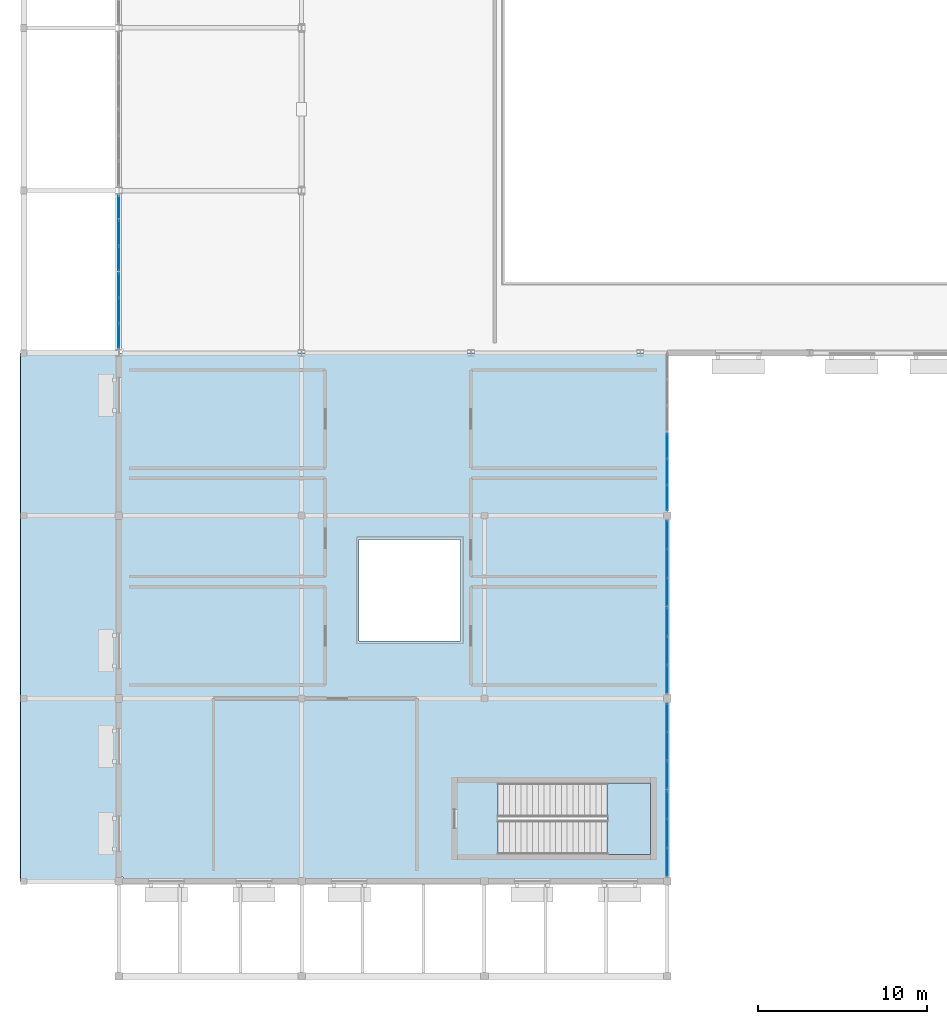
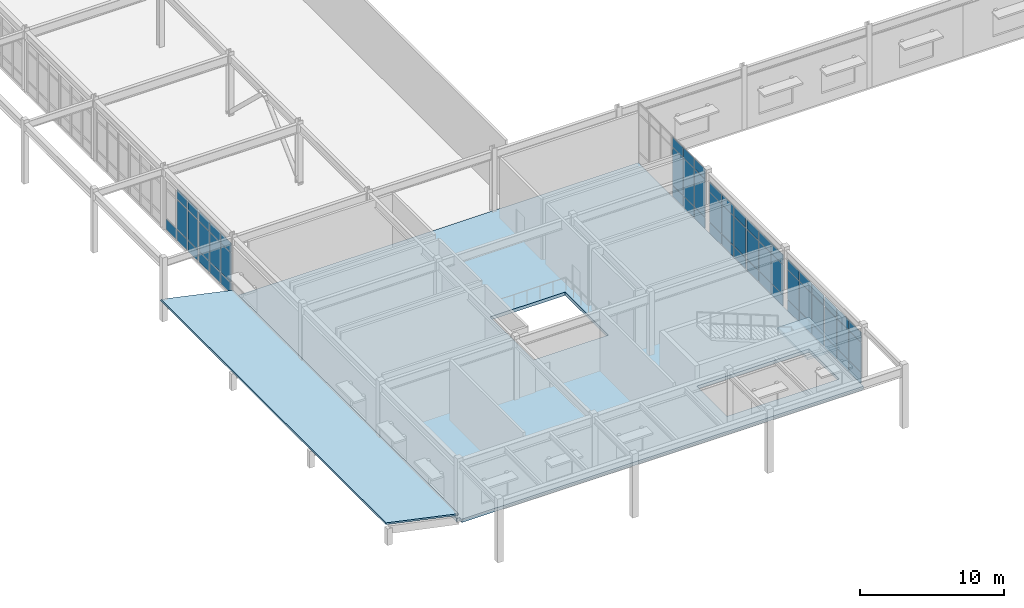
# One storey, part 37 of 72: 61 plates, 3 slabs, 9 elements without a shape of their own.
"""IFC4 building model written with IfcOpenShell, lengths in metres."""

from ifc_helpers import new_model, si_unit, direction, frame, origin, origin_2d, place, context, subcontext, project, spatial, polyline, rectangle, outline, extrude, material, layer, layer_set, type_object, element, aggregate, save


model = new_model("IFC4")

# Units and contexts
model_context = context("Model", 3, precision=1e-05, world=origin(), true_north=direction((0.0, 1.0)))
body_context = subcontext(model_context, "Body", "Model", "MODEL_VIEW")
ifc_project = project(units=[si_unit("LENGTHUNIT", "METRE"), si_unit("AREAUNIT", "SQUARE_METRE"), si_unit("VOLUMEUNIT", "CUBIC_METRE"), si_unit("PLANEANGLEUNIT", "RADIAN"), si_unit("MASSUNIT", "GRAM", prefix="KILO")], contexts=[model_context])

# Site, building, storey
site_placement = place(None, origin())
site = spatial("IfcSite", under=ifc_project, at=site_placement, CompositionType="ELEMENT")
building_placement = place(site_placement, origin())
building = spatial("IfcBuilding", under=site, at=building_placement, Name="Veldera Park Congress Hotel", CompositionType="ELEMENT")
storey_placement = place(building_placement, frame((0.0, 0.0, 5.39990234375)))
storey = spatial("IfcBuildingStorey", under=building, at=storey_placement, Name="L01", CompositionType="ELEMENT", Elevation=5.39990234375)

# Curtain wall, plates
ifc_material_1 = material(Name="Low-E Triple Insulating Glass Unit (SHGC 0.22)", Category="glass")
curtain_wall_type_1 = type_object("IfcCurtainWallType", Name="CW-CNG", PredefinedType="NOTDEFINED", material=ifc_material_1)
curtain_wall_1_placement = place(storey_placement, origin())
curtain_wall_1 = element("IfcCurtainWall", 1, at=curtain_wall_1_placement, inside=storey, type_object=curtain_wall_type_1, Name="L01 Curtain Wall CW3-V1W-L01-019", PredefinedType="NOTDEFINED")
ifc_layer_1 = layer(ifc_material_1, 0.035888671875)
ifc_layer_set_1 = layer_set([ifc_layer_1], Name="Low-E Triple Insulating Glass Unit (SHGC 0.22)")
plate_type_1 = type_object("IfcPlateType", Name="CWP-IGU36", PredefinedType="CURTAIN_PANEL", material=ifc_layer_set_1)
plate_1_placement = place(storey_placement, frame((-78.199951171875, -12.40576171875, 0.0751953125), z_axis=(0.0, 0.0, 1.0), x_axis=(0.0, -1.0, 0.0)))
plate_1 = element("IfcPlate", 2, at=plate_1_placement, type_object=plate_type_1, Name="CW-CNG panel 1.1", PredefinedType="CURTAIN_PANEL", context=body_context, shape_type="SweptSolid", body=[
    extrude(rectangle(XDim=1.40673828125, YDim=0.035888671875, at=origin_2d()), origin(), (0.0, 0.0, 1.0), 0.887451171875),
])
plate_2_placement = place(storey_placement, frame((-78.199951171875, -13.90625, 0.0751953125), z_axis=(0.0, 0.0, 1.0), x_axis=(0.0, -1.0, 0.0)))
plate_2 = element("IfcPlate", 3, at=plate_2_placement, type_object=plate_type_1, Name="CW-CNG panel 2.1", PredefinedType="CURTAIN_PANEL", context=body_context, shape_type="SweptSolid", body=[
    extrude(rectangle(XDim=1.444091796875, YDim=0.035888671875, at=origin_2d()), origin(), (0.0, 0.0, 1.0), 0.887451171875),
])
plate_3_placement = place(storey_placement, frame((-78.199951171875, -13.90625, 1.03759765625), z_axis=(0.0, 0.0, 1.0), x_axis=(0.0, -1.0, 0.0)))
plate_3 = element("IfcPlate", 4, at=plate_3_placement, type_object=plate_type_1, Name="CW-CNG panel 2.2", PredefinedType="CURTAIN_PANEL", context=body_context, shape_type="SweptSolid", body=[
    extrude(rectangle(XDim=1.444091796875, YDim=0.035888671875, at=origin_2d()), origin(), (0.0, 0.0, 1.0), 2.4541015625),
])
plate_4_placement = place(storey_placement, frame((-78.199951171875, -13.90625, 3.566650390625), z_axis=(0.0, 0.0, 1.0), x_axis=(0.0, -1.0, 0.0)))
plate_4 = element("IfcPlate", 5, at=plate_4_placement, type_object=plate_type_1, Name="CW-CNG panel 2.3", PredefinedType="CURTAIN_PANEL", context=body_context, shape_type="SweptSolid", body=[
    extrude(rectangle(XDim=1.444091796875, YDim=0.035888671875, at=origin_2d()), origin(), (0.0, 0.0, 1.0), 0.78759765625),
])
plate_5_placement = place(storey_placement, frame((-78.199951171875, -15.40673828125, 0.0751953125), z_axis=(0.0, 0.0, 1.0), x_axis=(0.0, -1.0, 0.0)))
plate_5 = element("IfcPlate", 6, at=plate_5_placement, type_object=plate_type_1, Name="CW-CNG panel 3.1", PredefinedType="CURTAIN_PANEL", context=body_context, shape_type="SweptSolid", body=[
    extrude(rectangle(XDim=1.40673828125, YDim=0.035888671875, at=origin_2d()), origin(), (0.0, 0.0, 1.0), 0.887451171875),
])
plate_6_placement = place(storey_placement, frame((-78.199951171875, -15.40673828125, 1.03759765625), z_axis=(0.0, 0.0, 1.0), x_axis=(0.0, -1.0, 0.0)))
plate_6 = element("IfcPlate", 7, at=plate_6_placement, type_object=plate_type_1, Name="CW-CNG panel 3.2", PredefinedType="CURTAIN_PANEL", context=body_context, shape_type="SweptSolid", body=[
    extrude(rectangle(XDim=1.40673828125, YDim=0.035888671875, at=origin_2d()), origin(), (0.0, 0.0, 1.0), 2.4541015625),
])
plate_7_placement = place(storey_placement, frame((-78.199951171875, -15.40673828125, 3.566650390625), z_axis=(0.0, 0.0, 1.0), x_axis=(0.0, -1.0, 0.0)))
plate_7 = element("IfcPlate", 8, at=plate_7_placement, type_object=plate_type_1, Name="CW-CNG panel 3.3", PredefinedType="CURTAIN_PANEL", context=body_context, shape_type="SweptSolid", body=[
    extrude(rectangle(XDim=1.40673828125, YDim=0.035888671875, at=origin_2d()), origin(), (0.0, 0.0, 1.0), 0.78759765625),
])
aggregate(curtain_wall_1, [plate_1, plate_2, plate_3, plate_4, plate_5, plate_6, plate_7])

curtain_wall_2_placement = place(storey_placement, origin())
curtain_wall_2 = element("IfcCurtainWall", 9, at=curtain_wall_2_placement, inside=storey, type_object=curtain_wall_type_1, Name="L01 Curtain Wall CW3-V1W-L01-020", PredefinedType="NOTDEFINED")
plate_8_placement = place(storey_placement, frame((-78.199951171875, -16.993408203125, 0.0751953125), z_axis=(0.0, 0.0, 1.0), x_axis=(0.0, -1.0, 0.0)))
plate_8 = element("IfcPlate", 10, at=plate_8_placement, type_object=plate_type_1, Name="CW-CNG panel 1.1", PredefinedType="CURTAIN_PANEL", context=body_context, shape_type="SweptSolid", body=[
    extrude(rectangle(XDim=1.40673828125, YDim=0.035888671875, at=origin_2d()), origin(), (0.0, 0.0, 1.0), 0.887451171875),
])
plate_9_placement = place(storey_placement, frame((-78.199951171875, -16.993408203125, 1.03759765625), z_axis=(0.0, 0.0, 1.0), x_axis=(0.0, -1.0, 0.0)))
plate_9 = element("IfcPlate", 11, at=plate_9_placement, type_object=plate_type_1, Name="CW-CNG panel 1.2", PredefinedType="CURTAIN_PANEL", context=body_context, shape_type="SweptSolid", body=[
    extrude(rectangle(XDim=1.40673828125, YDim=0.035888671875, at=origin_2d()), origin(), (0.0, 0.0, 1.0), 2.4541015625),
])
plate_10_placement = place(storey_placement, frame((-78.199951171875, -16.993408203125, 3.566650390625), z_axis=(0.0, 0.0, 1.0), x_axis=(0.0, -1.0, 0.0)))
plate_10 = element("IfcPlate", 12, at=plate_10_placement, type_object=plate_type_1, Name="CW-CNG panel 1.3", PredefinedType="CURTAIN_PANEL", context=body_context, shape_type="SweptSolid", body=[
    extrude(rectangle(XDim=1.40673828125, YDim=0.035888671875, at=origin_2d()), origin(), (0.0, 0.0, 1.0), 0.78759765625),
])
plate_11_placement = place(storey_placement, frame((-78.199951171875, -18.49365234375, 0.0751953125), z_axis=(0.0, 0.0, 1.0), x_axis=(0.0, -1.0, 0.0)))
plate_11 = element("IfcPlate", 13, at=plate_11_placement, type_object=plate_type_1, Name="CW-CNG panel 2.1", PredefinedType="CURTAIN_PANEL", context=body_context, shape_type="SweptSolid", body=[
    extrude(rectangle(XDim=1.444091796875, YDim=0.035888671875, at=origin_2d()), origin(), (0.0, 0.0, 1.0), 0.887451171875),
])
plate_12_placement = place(storey_placement, frame((-78.199951171875, -18.49365234375, 1.03759765625), z_axis=(0.0, 0.0, 1.0), x_axis=(0.0, -1.0, 0.0)))
plate_12 = element("IfcPlate", 14, at=plate_12_placement, type_object=plate_type_1, Name="CW-CNG panel 2.2", PredefinedType="CURTAIN_PANEL", context=body_context, shape_type="SweptSolid", body=[
    extrude(rectangle(XDim=1.444091796875, YDim=0.035888671875, at=origin_2d()), origin(), (0.0, 0.0, 1.0), 2.4541015625),
])
plate_13_placement = place(storey_placement, frame((-78.199951171875, -18.49365234375, 3.566650390625), z_axis=(0.0, 0.0, 1.0), x_axis=(0.0, -1.0, 0.0)))
plate_13 = element("IfcPlate", 15, at=plate_13_placement, type_object=plate_type_1, Name="CW-CNG panel 2.3", PredefinedType="CURTAIN_PANEL", context=body_context, shape_type="SweptSolid", body=[
    extrude(rectangle(XDim=1.444091796875, YDim=0.035888671875, at=origin_2d()), origin(), (0.0, 0.0, 1.0), 0.78759765625),
])
plate_14_placement = place(storey_placement, frame((-78.199951171875, -19.994140625, 0.0751953125), z_axis=(0.0, 0.0, 1.0), x_axis=(0.0, -1.0, 0.0)))
plate_14 = element("IfcPlate", 16, at=plate_14_placement, type_object=plate_type_1, Name="CW-CNG panel 3.1", PredefinedType="CURTAIN_PANEL", context=body_context, shape_type="SweptSolid", body=[
    extrude(rectangle(XDim=1.40673828125, YDim=0.035888671875, at=origin_2d()), origin(), (0.0, 0.0, 1.0), 0.887451171875),
])
plate_15_placement = place(storey_placement, frame((-78.199951171875, -19.994140625, 1.03759765625), z_axis=(0.0, 0.0, 1.0), x_axis=(0.0, -1.0, 0.0)))
plate_15 = element("IfcPlate", 17, at=plate_15_placement, type_object=plate_type_1, Name="CW-CNG panel 3.2", PredefinedType="CURTAIN_PANEL", context=body_context, shape_type="SweptSolid", body=[
    extrude(rectangle(XDim=1.40673828125, YDim=0.035888671875, at=origin_2d()), origin(), (0.0, 0.0, 1.0), 2.4541015625),
])
plate_16_placement = place(storey_placement, frame((-78.199951171875, -19.994140625, 3.566650390625), z_axis=(0.0, 0.0, 1.0), x_axis=(0.0, -1.0, 0.0)))
plate_16 = element("IfcPlate", 18, at=plate_16_placement, type_object=plate_type_1, Name="CW-CNG panel 3.3", PredefinedType="CURTAIN_PANEL", context=body_context, shape_type="SweptSolid", body=[
    extrude(rectangle(XDim=1.40673828125, YDim=0.035888671875, at=origin_2d()), origin(), (0.0, 0.0, 1.0), 0.78759765625),
])
aggregate(curtain_wall_2, [plate_8, plate_9, plate_10, plate_11, plate_12, plate_13, plate_14, plate_15, plate_16])

curtain_wall_type_2 = type_object("IfcCurtainWallType", Name="CW-SPA", PredefinedType="NOTDEFINED", material=ifc_material_1)
curtain_wall_3_placement = place(storey_placement, origin())
curtain_wall_3 = element("IfcCurtainWall", 19, at=curtain_wall_3_placement, inside=storey, type_object=curtain_wall_type_2, Name="L01 Curtain Wall CW3-V3E-L01-039", PredefinedType="NOTDEFINED")
ifc_layer_2 = layer(ifc_material_1, 0.0439453125)
ifc_layer_set_2 = layer_set([ifc_layer_2], Name="Low-E Triple Insulating Glass Unit (SHGC 0.22)")
plate_type_2 = type_object("IfcPlateType", Name="CWP-IGU44", PredefinedType="CURTAIN_PANEL", material=ifc_layer_set_2)
plate_17_placement = place(storey_placement, frame((-45.800048828125, -51.066650390625, 0.06005859375), z_axis=(0.0, 0.0, 1.0), x_axis=(0.0, 1.0, 0.0)))
plate_17 = element("IfcPlate", 20, at=plate_17_placement, type_object=plate_type_2, Name="CW-SPA panel 1.1", PredefinedType="CURTAIN_PANEL", context=body_context, shape_type="SweptSolid", body=[
    extrude(rectangle(XDim=1.61669921875, YDim=0.0439453125, at=origin_2d()), origin(), (0.0, 0.0, 1.0), 0.909912109375),
])
plate_18_placement = place(storey_placement, frame((-45.800048828125, -51.066650390625, 1.0302734375), z_axis=(0.0, 0.0, 1.0), x_axis=(0.0, 1.0, 0.0)))
plate_18 = element("IfcPlate", 21, at=plate_18_placement, type_object=plate_type_2, Name="CW-SPA panel 1.2", PredefinedType="CURTAIN_PANEL", context=body_context, shape_type="SweptSolid", body=[
    extrude(rectangle(XDim=1.61669921875, YDim=0.0439453125, at=origin_2d()), origin(), (0.0, 0.0, 1.0), 2.471923828125),
])
plate_19_placement = place(storey_placement, frame((-45.800048828125, -51.066650390625, 3.56201171875), z_axis=(0.0, 0.0, 1.0), x_axis=(0.0, 1.0, 0.0)))
plate_19 = element("IfcPlate", 22, at=plate_19_placement, type_object=plate_type_2, Name="CW-SPA panel 1.3", PredefinedType="CURTAIN_PANEL", context=body_context, shape_type="SweptSolid", body=[
    extrude(rectangle(XDim=1.61669921875, YDim=0.0439453125, at=origin_2d()), origin(), (0.0, 0.0, 1.0), 0.81005859375),
])
plate_20_placement = place(storey_placement, frame((-45.800048828125, -49.375, 0.06005859375), z_axis=(0.0, 0.0, 1.0), x_axis=(0.0, 1.0, 0.0)))
plate_20 = element("IfcPlate", 23, at=plate_20_placement, type_object=plate_type_2, Name="CW-SPA panel 2.1", PredefinedType="CURTAIN_PANEL", context=body_context, shape_type="SweptSolid", body=[
    extrude(rectangle(XDim=1.646728515625, YDim=0.0439453125, at=origin_2d()), origin(), (0.0, 0.0, 1.0), 0.909912109375),
])
plate_21_placement = place(storey_placement, frame((-45.800048828125, -49.375, 1.0302734375), z_axis=(0.0, 0.0, 1.0), x_axis=(0.0, 1.0, 0.0)))
plate_21 = element("IfcPlate", 24, at=plate_21_placement, type_object=plate_type_2, Name="CW-SPA panel 2.2", PredefinedType="CURTAIN_PANEL", context=body_context, shape_type="SweptSolid", body=[
    extrude(rectangle(XDim=1.646728515625, YDim=0.0439453125, at=origin_2d()), origin(), (0.0, 0.0, 1.0), 2.471923828125),
])
plate_22_placement = place(storey_placement, frame((-45.800048828125, -49.375, 3.56201171875), z_axis=(0.0, 0.0, 1.0), x_axis=(0.0, 1.0, 0.0)))
plate_22 = element("IfcPlate", 25, at=plate_22_placement, type_object=plate_type_2, Name="CW-SPA panel 2.3", PredefinedType="CURTAIN_PANEL", context=body_context, shape_type="SweptSolid", body=[
    extrude(rectangle(XDim=1.646728515625, YDim=0.0439453125, at=origin_2d()), origin(), (0.0, 0.0, 1.0), 0.81005859375),
])
plate_23_placement = place(storey_placement, frame((-45.800048828125, -47.683349609375, 0.06005859375), z_axis=(0.0, 0.0, 1.0), x_axis=(0.0, 1.0, 0.0)))
plate_23 = element("IfcPlate", 26, at=plate_23_placement, type_object=plate_type_2, Name="CW-SPA panel 3.1", PredefinedType="CURTAIN_PANEL", context=body_context, shape_type="SweptSolid", body=[
    extrude(rectangle(XDim=1.61669921875, YDim=0.0439453125, at=origin_2d()), origin(), (0.0, 0.0, 1.0), 0.909912109375),
])
plate_24_placement = place(storey_placement, frame((-45.800048828125, -47.683349609375, 1.0302734375), z_axis=(0.0, 0.0, 1.0), x_axis=(0.0, 1.0, 0.0)))
plate_24 = element("IfcPlate", 27, at=plate_24_placement, type_object=plate_type_2, Name="CW-SPA panel 3.2", PredefinedType="CURTAIN_PANEL", context=body_context, shape_type="SweptSolid", body=[
    extrude(rectangle(XDim=1.61669921875, YDim=0.0439453125, at=origin_2d()), origin(), (0.0, 0.0, 1.0), 2.471923828125),
])
plate_25_placement = place(storey_placement, frame((-45.800048828125, -47.683349609375, 3.56201171875), z_axis=(0.0, 0.0, 1.0), x_axis=(0.0, 1.0, 0.0)))
plate_25 = element("IfcPlate", 28, at=plate_25_placement, type_object=plate_type_2, Name="CW-SPA panel 3.3", PredefinedType="CURTAIN_PANEL", context=body_context, shape_type="SweptSolid", body=[
    extrude(rectangle(XDim=1.61669921875, YDim=0.0439453125, at=origin_2d()), origin(), (0.0, 0.0, 1.0), 0.81005859375),
])
aggregate(curtain_wall_3, [plate_17, plate_18, plate_19, plate_20, plate_21, plate_22, plate_23, plate_24, plate_25])

curtain_wall_4_placement = place(storey_placement, origin())
curtain_wall_4 = element("IfcCurtainWall", 29, at=curtain_wall_4_placement, inside=storey, type_object=curtain_wall_type_2, Name="L01 Curtain Wall CW3-V3E-L01-040", PredefinedType="NOTDEFINED")
plate_26_placement = place(storey_placement, frame((-45.800048828125, -45.916748046875, 0.06005859375), z_axis=(0.0, 0.0, 1.0), x_axis=(0.0, 1.0, 0.0)))
plate_26 = element("IfcPlate", 30, at=plate_26_placement, type_object=plate_type_2, Name="CW-SPA panel 1.1", PredefinedType="CURTAIN_PANEL", context=body_context, shape_type="SweptSolid", body=[
    extrude(rectangle(XDim=1.61669921875, YDim=0.0439453125, at=origin_2d()), origin(), (0.0, 0.0, 1.0), 0.909912109375),
])
plate_27_placement = place(storey_placement, frame((-45.800048828125, -45.916748046875, 1.0302734375), z_axis=(0.0, 0.0, 1.0), x_axis=(0.0, 1.0, 0.0)))
plate_27 = element("IfcPlate", 31, at=plate_27_placement, type_object=plate_type_2, Name="CW-SPA panel 1.2", PredefinedType="CURTAIN_PANEL", context=body_context, shape_type="SweptSolid", body=[
    extrude(rectangle(XDim=1.61669921875, YDim=0.0439453125, at=origin_2d()), origin(), (0.0, 0.0, 1.0), 2.471923828125),
])
plate_28_placement = place(storey_placement, frame((-45.800048828125, -45.916748046875, 3.56201171875), z_axis=(0.0, 0.0, 1.0), x_axis=(0.0, 1.0, 0.0)))
plate_28 = element("IfcPlate", 32, at=plate_28_placement, type_object=plate_type_2, Name="CW-SPA panel 1.3", PredefinedType="CURTAIN_PANEL", context=body_context, shape_type="SweptSolid", body=[
    extrude(rectangle(XDim=1.61669921875, YDim=0.0439453125, at=origin_2d()), origin(), (0.0, 0.0, 1.0), 0.81005859375),
])
plate_29_placement = place(storey_placement, frame((-45.800048828125, -44.22509765625, 0.06005859375), z_axis=(0.0, 0.0, 1.0), x_axis=(0.0, 1.0, 0.0)))
plate_29 = element("IfcPlate", 33, at=plate_29_placement, type_object=plate_type_2, Name="CW-SPA panel 2.1", PredefinedType="CURTAIN_PANEL", context=body_context, shape_type="SweptSolid", body=[
    extrude(rectangle(XDim=1.646728515625, YDim=0.0439453125, at=origin_2d()), origin(), (0.0, 0.0, 1.0), 0.909912109375),
])
plate_30_placement = place(storey_placement, frame((-45.800048828125, -44.22509765625, 1.0302734375), z_axis=(0.0, 0.0, 1.0), x_axis=(0.0, 1.0, 0.0)))
plate_30 = element("IfcPlate", 34, at=plate_30_placement, type_object=plate_type_2, Name="CW-SPA panel 2.2", PredefinedType="CURTAIN_PANEL", context=body_context, shape_type="SweptSolid", body=[
    extrude(rectangle(XDim=1.646728515625, YDim=0.0439453125, at=origin_2d()), origin(), (0.0, 0.0, 1.0), 2.471923828125),
])
plate_31_placement = place(storey_placement, frame((-45.800048828125, -44.22509765625, 3.56201171875), z_axis=(0.0, 0.0, 1.0), x_axis=(0.0, 1.0, 0.0)))
plate_31 = element("IfcPlate", 35, at=plate_31_placement, type_object=plate_type_2, Name="CW-SPA panel 2.3", PredefinedType="CURTAIN_PANEL", context=body_context, shape_type="SweptSolid", body=[
    extrude(rectangle(XDim=1.646728515625, YDim=0.0439453125, at=origin_2d()), origin(), (0.0, 0.0, 1.0), 0.81005859375),
])
plate_32_placement = place(storey_placement, frame((-45.800048828125, -42.533447265625, 0.06005859375), z_axis=(0.0, 0.0, 1.0), x_axis=(0.0, 1.0, 0.0)))
plate_32 = element("IfcPlate", 36, at=plate_32_placement, type_object=plate_type_2, Name="CW-SPA panel 3.1", PredefinedType="CURTAIN_PANEL", context=body_context, shape_type="SweptSolid", body=[
    extrude(rectangle(XDim=1.61669921875, YDim=0.0439453125, at=origin_2d()), origin(), (0.0, 0.0, 1.0), 0.909912109375),
])
plate_33_placement = place(storey_placement, frame((-45.800048828125, -42.533447265625, 1.0302734375), z_axis=(0.0, 0.0, 1.0), x_axis=(0.0, 1.0, 0.0)))
plate_33 = element("IfcPlate", 37, at=plate_33_placement, type_object=plate_type_2, Name="CW-SPA panel 3.2", PredefinedType="CURTAIN_PANEL", context=body_context, shape_type="SweptSolid", body=[
    extrude(rectangle(XDim=1.61669921875, YDim=0.0439453125, at=origin_2d()), origin(), (0.0, 0.0, 1.0), 2.471923828125),
])
plate_34_placement = place(storey_placement, frame((-45.800048828125, -42.533447265625, 3.56201171875), z_axis=(0.0, 0.0, 1.0), x_axis=(0.0, 1.0, 0.0)))
plate_34 = element("IfcPlate", 38, at=plate_34_placement, type_object=plate_type_2, Name="CW-SPA panel 3.3", PredefinedType="CURTAIN_PANEL", context=body_context, shape_type="SweptSolid", body=[
    extrude(rectangle(XDim=1.61669921875, YDim=0.0439453125, at=origin_2d()), origin(), (0.0, 0.0, 1.0), 0.81005859375),
])
aggregate(curtain_wall_4, [plate_26, plate_27, plate_28, plate_29, plate_30, plate_31, plate_32, plate_33, plate_34])

curtain_wall_5_placement = place(storey_placement, origin())
curtain_wall_5 = element("IfcCurtainWall", 39, at=curtain_wall_5_placement, inside=storey, type_object=curtain_wall_type_2, Name="L01 Curtain Wall CW3-V3E-L01-041", PredefinedType="NOTDEFINED")
plate_35_placement = place(storey_placement, frame((-45.800048828125, -40.2666015625, 0.06005859375), z_axis=(0.0, 0.0, 1.0), x_axis=(0.0, 1.0, 0.0)))
plate_35 = element("IfcPlate", 40, at=plate_35_placement, type_object=plate_type_2, Name="CW-SPA panel 1.1", PredefinedType="CURTAIN_PANEL", context=body_context, shape_type="SweptSolid", body=[
    extrude(rectangle(XDim=1.61669921875, YDim=0.0439453125, at=origin_2d()), origin(), (0.0, 0.0, 1.0), 0.909912109375),
])
plate_36_placement = place(storey_placement, frame((-45.800048828125, -40.2666015625, 1.0302734375), z_axis=(0.0, 0.0, 1.0), x_axis=(0.0, 1.0, 0.0)))
plate_36 = element("IfcPlate", 41, at=plate_36_placement, type_object=plate_type_2, Name="CW-SPA panel 1.2", PredefinedType="CURTAIN_PANEL", context=body_context, shape_type="SweptSolid", body=[
    extrude(rectangle(XDim=1.61669921875, YDim=0.0439453125, at=origin_2d()), origin(), (0.0, 0.0, 1.0), 2.471923828125),
])
plate_37_placement = place(storey_placement, frame((-45.800048828125, -40.2666015625, 3.56201171875), z_axis=(0.0, 0.0, 1.0), x_axis=(0.0, 1.0, 0.0)))
plate_37 = element("IfcPlate", 42, at=plate_37_placement, type_object=plate_type_2, Name="CW-SPA panel 1.3", PredefinedType="CURTAIN_PANEL", context=body_context, shape_type="SweptSolid", body=[
    extrude(rectangle(XDim=1.61669921875, YDim=0.0439453125, at=origin_2d()), origin(), (0.0, 0.0, 1.0), 0.81005859375),
])
plate_38_placement = place(storey_placement, frame((-45.800048828125, -38.574951171875, 0.06005859375), z_axis=(0.0, 0.0, 1.0), x_axis=(0.0, 1.0, 0.0)))
plate_38 = element("IfcPlate", 43, at=plate_38_placement, type_object=plate_type_2, Name="CW-SPA panel 2.1", PredefinedType="CURTAIN_PANEL", context=body_context, shape_type="SweptSolid", body=[
    extrude(rectangle(XDim=1.646728515625, YDim=0.0439453125, at=origin_2d()), origin(), (0.0, 0.0, 1.0), 0.909912109375),
])
plate_39_placement = place(storey_placement, frame((-45.800048828125, -38.574951171875, 1.0302734375), z_axis=(0.0, 0.0, 1.0), x_axis=(0.0, 1.0, 0.0)))
plate_39 = element("IfcPlate", 44, at=plate_39_placement, type_object=plate_type_2, Name="CW-SPA panel 2.2", PredefinedType="CURTAIN_PANEL", context=body_context, shape_type="SweptSolid", body=[
    extrude(rectangle(XDim=1.646728515625, YDim=0.0439453125, at=origin_2d()), origin(), (0.0, 0.0, 1.0), 2.471923828125),
])
plate_40_placement = place(storey_placement, frame((-45.800048828125, -38.574951171875, 3.56201171875), z_axis=(0.0, 0.0, 1.0), x_axis=(0.0, 1.0, 0.0)))
plate_40 = element("IfcPlate", 45, at=plate_40_placement, type_object=plate_type_2, Name="CW-SPA panel 2.3", PredefinedType="CURTAIN_PANEL", context=body_context, shape_type="SweptSolid", body=[
    extrude(rectangle(XDim=1.646728515625, YDim=0.0439453125, at=origin_2d()), origin(), (0.0, 0.0, 1.0), 0.81005859375),
])
plate_41_placement = place(storey_placement, frame((-45.800048828125, -36.88330078125, 0.06005859375), z_axis=(0.0, 0.0, 1.0), x_axis=(0.0, 1.0, 0.0)))
plate_41 = element("IfcPlate", 46, at=plate_41_placement, type_object=plate_type_2, Name="CW-SPA panel 3.1", PredefinedType="CURTAIN_PANEL", context=body_context, shape_type="SweptSolid", body=[
    extrude(rectangle(XDim=1.61669921875, YDim=0.0439453125, at=origin_2d()), origin(), (0.0, 0.0, 1.0), 0.909912109375),
])
plate_42_placement = place(storey_placement, frame((-45.800048828125, -36.88330078125, 1.0302734375), z_axis=(0.0, 0.0, 1.0), x_axis=(0.0, 1.0, 0.0)))
plate_42 = element("IfcPlate", 47, at=plate_42_placement, type_object=plate_type_2, Name="CW-SPA panel 3.2", PredefinedType="CURTAIN_PANEL", context=body_context, shape_type="SweptSolid", body=[
    extrude(rectangle(XDim=1.61669921875, YDim=0.0439453125, at=origin_2d()), origin(), (0.0, 0.0, 1.0), 2.471923828125),
])
plate_43_placement = place(storey_placement, frame((-45.800048828125, -36.88330078125, 3.56201171875), z_axis=(0.0, 0.0, 1.0), x_axis=(0.0, 1.0, 0.0)))
plate_43 = element("IfcPlate", 48, at=plate_43_placement, type_object=plate_type_2, Name="CW-SPA panel 3.3", PredefinedType="CURTAIN_PANEL", context=body_context, shape_type="SweptSolid", body=[
    extrude(rectangle(XDim=1.61669921875, YDim=0.0439453125, at=origin_2d()), origin(), (0.0, 0.0, 1.0), 0.81005859375),
])
aggregate(curtain_wall_5, [plate_35, plate_36, plate_37, plate_38, plate_39, plate_40, plate_41, plate_42, plate_43])

curtain_wall_6_placement = place(storey_placement, origin())
curtain_wall_6 = element("IfcCurtainWall", 49, at=curtain_wall_6_placement, inside=storey, type_object=curtain_wall_type_2, Name="L01 Curtain Wall CW3-V3E-L01-042", PredefinedType="NOTDEFINED")
plate_44_placement = place(storey_placement, frame((-45.800048828125, -35.11669921875, 0.06005859375), z_axis=(0.0, 0.0, 1.0), x_axis=(0.0, 1.0, 0.0)))
plate_44 = element("IfcPlate", 50, at=plate_44_placement, type_object=plate_type_2, Name="CW-SPA panel 1.1", PredefinedType="CURTAIN_PANEL", context=body_context, shape_type="SweptSolid", body=[
    extrude(rectangle(XDim=1.61669921875, YDim=0.0439453125, at=origin_2d()), origin(), (0.0, 0.0, 1.0), 0.909912109375),
])
plate_45_placement = place(storey_placement, frame((-45.800048828125, -35.11669921875, 1.0302734375), z_axis=(0.0, 0.0, 1.0), x_axis=(0.0, 1.0, 0.0)))
plate_45 = element("IfcPlate", 51, at=plate_45_placement, type_object=plate_type_2, Name="CW-SPA panel 1.2", PredefinedType="CURTAIN_PANEL", context=body_context, shape_type="SweptSolid", body=[
    extrude(rectangle(XDim=1.61669921875, YDim=0.0439453125, at=origin_2d()), origin(), (0.0, 0.0, 1.0), 2.471923828125),
])
plate_46_placement = place(storey_placement, frame((-45.800048828125, -35.11669921875, 3.56201171875), z_axis=(0.0, 0.0, 1.0), x_axis=(0.0, 1.0, 0.0)))
plate_46 = element("IfcPlate", 52, at=plate_46_placement, type_object=plate_type_2, Name="CW-SPA panel 1.3", PredefinedType="CURTAIN_PANEL", context=body_context, shape_type="SweptSolid", body=[
    extrude(rectangle(XDim=1.61669921875, YDim=0.0439453125, at=origin_2d()), origin(), (0.0, 0.0, 1.0), 0.81005859375),
])
plate_47_placement = place(storey_placement, frame((-45.800048828125, -33.425048828125, 0.06005859375), z_axis=(0.0, 0.0, 1.0), x_axis=(0.0, 1.0, 0.0)))
plate_47 = element("IfcPlate", 53, at=plate_47_placement, type_object=plate_type_2, Name="CW-SPA panel 2.1", PredefinedType="CURTAIN_PANEL", context=body_context, shape_type="SweptSolid", body=[
    extrude(rectangle(XDim=1.646728515625, YDim=0.0439453125, at=origin_2d()), origin(), (0.0, 0.0, 1.0), 0.909912109375),
])
plate_48_placement = place(storey_placement, frame((-45.800048828125, -33.425048828125, 1.0302734375), z_axis=(0.0, 0.0, 1.0), x_axis=(0.0, 1.0, 0.0)))
plate_48 = element("IfcPlate", 54, at=plate_48_placement, type_object=plate_type_2, Name="CW-SPA panel 2.2", PredefinedType="CURTAIN_PANEL", context=body_context, shape_type="SweptSolid", body=[
    extrude(rectangle(XDim=1.646728515625, YDim=0.0439453125, at=origin_2d()), origin(), (0.0, 0.0, 1.0), 2.471923828125),
])
plate_49_placement = place(storey_placement, frame((-45.800048828125, -33.425048828125, 3.56201171875), z_axis=(0.0, 0.0, 1.0), x_axis=(0.0, 1.0, 0.0)))
plate_49 = element("IfcPlate", 55, at=plate_49_placement, type_object=plate_type_2, Name="CW-SPA panel 2.3", PredefinedType="CURTAIN_PANEL", context=body_context, shape_type="SweptSolid", body=[
    extrude(rectangle(XDim=1.646728515625, YDim=0.0439453125, at=origin_2d()), origin(), (0.0, 0.0, 1.0), 0.81005859375),
])
plate_50_placement = place(storey_placement, frame((-45.800048828125, -31.7333984375, 0.06005859375), z_axis=(0.0, 0.0, 1.0), x_axis=(0.0, 1.0, 0.0)))
plate_50 = element("IfcPlate", 56, at=plate_50_placement, type_object=plate_type_2, Name="CW-SPA panel 3.1", PredefinedType="CURTAIN_PANEL", context=body_context, shape_type="SweptSolid", body=[
    extrude(rectangle(XDim=1.61669921875, YDim=0.0439453125, at=origin_2d()), origin(), (0.0, 0.0, 1.0), 0.909912109375),
])
plate_51_placement = place(storey_placement, frame((-45.800048828125, -31.7333984375, 1.0302734375), z_axis=(0.0, 0.0, 1.0), x_axis=(0.0, 1.0, 0.0)))
plate_51 = element("IfcPlate", 57, at=plate_51_placement, type_object=plate_type_2, Name="CW-SPA panel 3.2", PredefinedType="CURTAIN_PANEL", context=body_context, shape_type="SweptSolid", body=[
    extrude(rectangle(XDim=1.61669921875, YDim=0.0439453125, at=origin_2d()), origin(), (0.0, 0.0, 1.0), 2.471923828125),
])
plate_52_placement = place(storey_placement, frame((-45.800048828125, -31.7333984375, 3.56201171875), z_axis=(0.0, 0.0, 1.0), x_axis=(0.0, 1.0, 0.0)))
plate_52 = element("IfcPlate", 58, at=plate_52_placement, type_object=plate_type_2, Name="CW-SPA panel 3.3", PredefinedType="CURTAIN_PANEL", context=body_context, shape_type="SweptSolid", body=[
    extrude(rectangle(XDim=1.61669921875, YDim=0.0439453125, at=origin_2d()), origin(), (0.0, 0.0, 1.0), 0.81005859375),
])
aggregate(curtain_wall_6, [plate_44, plate_45, plate_46, plate_47, plate_48, plate_49, plate_50, plate_51, plate_52])

curtain_wall_7_placement = place(storey_placement, origin())
curtain_wall_7 = element("IfcCurtainWall", 59, at=curtain_wall_7_placement, inside=storey, type_object=curtain_wall_type_2, Name="L01 Curtain Wall CW3-V3E-L01-043", PredefinedType="NOTDEFINED")
plate_53_placement = place(storey_placement, frame((-45.800048828125, -29.5458984375, 0.06005859375), z_axis=(0.0, 0.0, 1.0), x_axis=(0.0, 1.0, 0.0)))
plate_53 = element("IfcPlate", 60, at=plate_53_placement, type_object=plate_type_2, Name="CW-SPA panel 1.1", PredefinedType="CURTAIN_PANEL", context=body_context, shape_type="SweptSolid", body=[
    extrude(rectangle(XDim=1.458251953125, YDim=0.0439453125, at=origin_2d()), origin(), (0.0, 0.0, 1.0), 0.909912109375),
])
plate_54_placement = place(storey_placement, frame((-45.800048828125, -29.5458984375, 1.030029296875), z_axis=(0.0, 0.0, 1.0), x_axis=(0.0, 1.0, 0.0)))
plate_54 = element("IfcPlate", 61, at=plate_54_placement, type_object=plate_type_2, Name="CW-SPA panel 1.2", PredefinedType="CURTAIN_PANEL", context=body_context, shape_type="SweptSolid", body=[
    extrude(rectangle(XDim=1.458251953125, YDim=0.0439453125, at=origin_2d()), origin(), (0.0, 0.0, 1.0), 3.169921875),
])
plate_55_placement = place(storey_placement, frame((-45.800048828125, -29.5458984375, 4.260009765625), z_axis=(0.0, 0.0, 1.0), x_axis=(0.0, 1.0, 0.0)))
plate_55 = element("IfcPlate", 62, at=plate_55_placement, type_object=plate_type_2, Name="CW-SPA panel 1.3", PredefinedType="CURTAIN_PANEL", context=body_context, shape_type="SweptSolid", body=[
    extrude(rectangle(XDim=1.458251953125, YDim=0.0439453125, at=origin_2d()), origin(), (0.0, 0.0, 1.0), 0.81005859375),
])
plate_56_placement = place(storey_placement, frame((-45.800048828125, -28.012451171875, 0.06005859375), z_axis=(0.0, 0.0, 1.0), x_axis=(0.0, 1.0, 0.0)))
plate_56 = element("IfcPlate", 63, at=plate_56_placement, type_object=plate_type_2, Name="CW-SPA panel 2.1", PredefinedType="CURTAIN_PANEL", context=body_context, shape_type="SweptSolid", body=[
    extrude(rectangle(XDim=1.48828125, YDim=0.0439453125, at=origin_2d()), origin(), (0.0, 0.0, 1.0), 0.909912109375),
])
plate_57_placement = place(storey_placement, frame((-45.800048828125, -28.012451171875, 1.030029296875), z_axis=(0.0, 0.0, 1.0), x_axis=(0.0, 1.0, 0.0)))
plate_57 = element("IfcPlate", 64, at=plate_57_placement, type_object=plate_type_2, Name="CW-SPA panel 2.2", PredefinedType="CURTAIN_PANEL", context=body_context, shape_type="SweptSolid", body=[
    extrude(rectangle(XDim=1.48828125, YDim=0.0439453125, at=origin_2d()), origin(), (0.0, 0.0, 1.0), 3.169921875),
])
plate_58_placement = place(storey_placement, frame((-45.800048828125, -28.012451171875, 4.260009765625), z_axis=(0.0, 0.0, 1.0), x_axis=(0.0, 1.0, 0.0)))
plate_58 = element("IfcPlate", 65, at=plate_58_placement, type_object=plate_type_2, Name="CW-SPA panel 2.3", PredefinedType="CURTAIN_PANEL", context=body_context, shape_type="SweptSolid", body=[
    extrude(rectangle(XDim=1.48828125, YDim=0.0439453125, at=origin_2d()), origin(), (0.0, 0.0, 1.0), 0.81005859375),
])
plate_59_placement = place(storey_placement, frame((-45.800048828125, -26.479248046875, 0.06005859375), z_axis=(0.0, 0.0, 1.0), x_axis=(0.0, 1.0, 0.0)))
plate_59 = element("IfcPlate", 66, at=plate_59_placement, type_object=plate_type_2, Name="CW-SPA panel 3.1", PredefinedType="CURTAIN_PANEL", context=body_context, shape_type="SweptSolid", body=[
    extrude(rectangle(XDim=1.458251953125, YDim=0.0439453125, at=origin_2d()), origin(), (0.0, 0.0, 1.0), 0.909912109375),
])
plate_60_placement = place(storey_placement, frame((-45.800048828125, -26.479248046875, 1.030029296875), z_axis=(0.0, 0.0, 1.0), x_axis=(0.0, 1.0, 0.0)))
plate_60 = element("IfcPlate", 67, at=plate_60_placement, type_object=plate_type_2, Name="CW-SPA panel 3.2", PredefinedType="CURTAIN_PANEL", context=body_context, shape_type="SweptSolid", body=[
    extrude(rectangle(XDim=1.458251953125, YDim=0.0439453125, at=origin_2d()), origin(), (0.0, 0.0, 1.0), 3.169921875),
])
plate_61_placement = place(storey_placement, frame((-45.800048828125, -26.479248046875, 4.260009765625), z_axis=(0.0, 0.0, 1.0), x_axis=(0.0, 1.0, 0.0)))
plate_61 = element("IfcPlate", 68, at=plate_61_placement, type_object=plate_type_2, Name="CW-SPA panel 3.3", PredefinedType="CURTAIN_PANEL", context=body_context, shape_type="SweptSolid", body=[
    extrude(rectangle(XDim=1.458251953125, YDim=0.0439453125, at=origin_2d()), origin(), (0.0, 0.0, 1.0), 0.81005859375),
])
aggregate(curtain_wall_7, [plate_53, plate_54, plate_55, plate_56, plate_57, plate_58, plate_59, plate_60, plate_61])

# Roof, slab
ifc_material_2 = material(Name="Cross-laminated timber CLT V2M1.1", Category="wood")
roof_type = type_object("IfcRoofType", Name="ROOF-SHD", PredefinedType="SHED_ROOF", material=ifc_material_2)
roof_placement = place(storey_placement, origin())
roof = element("IfcRoof", 69, at=roof_placement, inside=storey, type_object=roof_type, Name="Sonoran Shaded Park Arcade Roof", PredefinedType="SHED_ROOF")
ifc_layer_3 = layer(ifc_material_2, 0.139892578125)
ifc_layer_set_3 = layer_set([ifc_layer_3], Name="Cross-laminated timber CLT V2M1.1")
slab_type_1 = type_object("IfcSlabType", Name="RF-CAN140", PredefinedType="ROOF", material=ifc_layer_set_3)
slab_1_placement = place(storey_placement, frame((-84.0, -52.199951171875, 1.820068359375), z_axis=(0.210678280718, 0.0, 0.977555452153), x_axis=(0.977555452153, 0.0, -0.210678280718)))
slab_1 = element("IfcSlab", 70, at=slab_1_placement, type_object=slab_type_1, Name="West Park Arcade Sloped Timber Canopy", PredefinedType="ROOF", context=body_context, shape_type="SweptSolid", body=[
    extrude(outline(polyline([(0.0, 0.0), (5.933217205583678, 0.0), (5.933217205583678, 31.199951171875), (0.0, 31.199951171875), (0.0, 0.0)])), origin(), (0.0, 0.0, -1.0), 0.139892578125),
])
aggregate(roof, [slab_1])

# Slab
ifc_material_3 = material(Name="Concrete f'c 40 MPa (5,800 psi)", Category="concrete")
ifc_layer_4 = layer(ifc_material_3, 0.280029296875)
ifc_layer_set_4 = layer_set([ifc_layer_4], Name="Concrete f'c 40 MPa (5,800 psi)")
slab_type_2 = type_object("IfcSlabType", Name="SLB-RC280", PredefinedType="FLOOR", material=ifc_layer_set_4)
slab_2_placement = place(storey_placement, frame((0.0, 0.0, -0.27978515625)))
element("IfcSlab", 71, at=slab_2_placement, inside=storey, type_object=slab_type_2, Name="L01 Floor Slab SLB-L01-V3", PredefinedType="FLOOR", context=body_context, shape_type="SweptSolid", body=[
    extrude(outline(polyline([(-78.199951171875, -51.93994140625), (-77.93994140625, -51.93994140625), (-77.93994140625, -52.199951171875), (-45.800048828125, -52.199951171875), (-45.800048828125, -21.0), (-78.199951171875, -21.0), (-78.199951171875, -51.93994140625)]), holes=[polyline([(-55.784912109375, -50.60009765625), (-46.800048828125, -50.60009765625), (-46.800048828125, -46.39990234375), (-55.784912109375, -46.39990234375), (-55.784912109375, -50.60009765625)]), polyline([(-64.0, -38.0), (-58.0, -38.0), (-58.0, -32.0), (-64.0, -32.0), (-64.0, -38.0)])]), origin(), (0.0, 0.0, 1.0), 0.27978515625),
])

# Stair, slab
stair_type = type_object("IfcStairType", Name="ST8", PredefinedType="HALF_TURN_STAIR", material=ifc_material_3)
stair_placement = place(storey_placement, origin())
stair = element("IfcStair", 72, at=stair_placement, inside=storey, type_object=stair_type, Name="L01 Protected Exit Stair ST8", PredefinedType="HALF_TURN_STAIR")
ifc_layer_5 = layer(ifc_material_3, 0.199951171875)
ifc_layer_set_5 = layer_set([ifc_layer_5], Name="Concrete f'c 40 MPa (5,800 psi)")
slab_type_3 = type_object("IfcSlabType", Name="SLD-ST8", PredefinedType="LANDING", material=ifc_layer_set_5)
slab_3_placement = place(storey_placement, frame((0.0, 0.0, 2.5)))
slab_3 = element("IfcSlab", 73, at=slab_3_placement, type_object=slab_type_3, Name="ST8 landing 1", PredefinedType="LANDING", context=body_context, shape_type="SweptSolid", body=[
    extrude(outline(polyline([(-49.35498046875, -50.60009765625), (-46.800048828125, -50.60009765625), (-46.800048828125, -46.39990234375), (-49.35498046875, -46.39990234375), (-49.35498046875, -50.60009765625)])), origin(), (0.0, 0.0, 1.0), 0.2001953125),
])
aggregate(stair, [slab_3])

save(model, "model.ifc")
